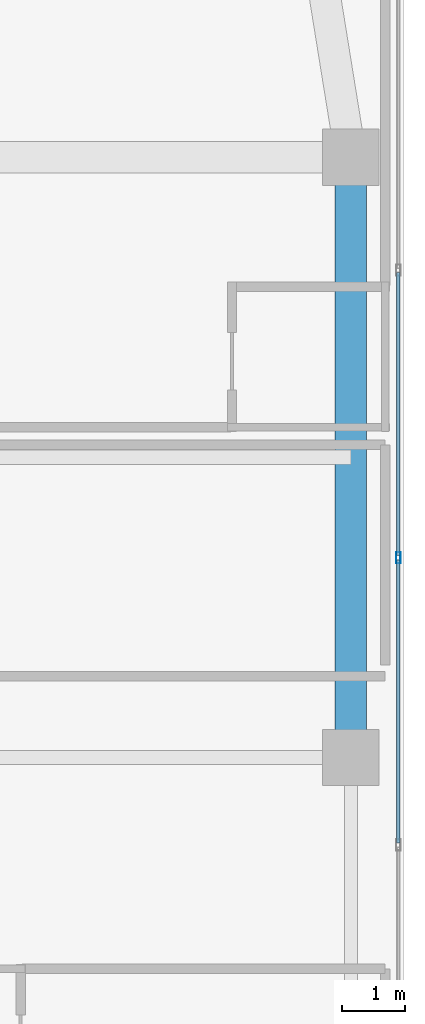
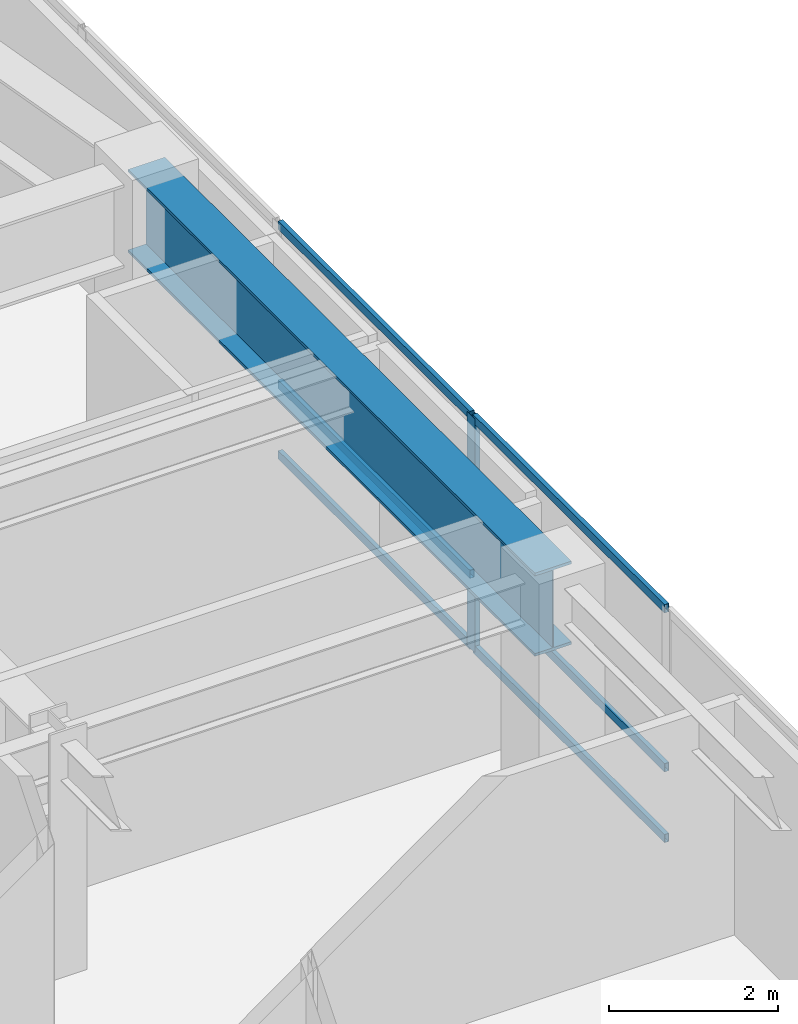
# One storey, part 12 of 25: 7 members, 1 beam, 1 element without a shape of its own.
"""IFC4 building model written with IfcOpenShell, lengths in metres."""

from ifc_helpers import new_model, si_unit, direction, frame, origin, origin_2d, place, context, subcontext, project, spatial, hollow_rectangle, i_section, extrude, source, transform, mapped, material, layer, layer_set, material_profile, profile_set, type_object, type_shapes, element, aggregate, save


model = new_model("IFC4")

# Units and contexts
model_context = context("Model", 3, precision=1e-05, world=origin(), true_north=direction((0.0, 1.0)))
body_context = subcontext(model_context, "Body", "Model", "MODEL_VIEW")
ifc_project = project(units=[si_unit("LENGTHUNIT", "METRE"), si_unit("AREAUNIT", "SQUARE_METRE"), si_unit("VOLUMEUNIT", "CUBIC_METRE"), si_unit("PLANEANGLEUNIT", "RADIAN"), si_unit("MASSUNIT", "GRAM", prefix="KILO")], contexts=[model_context])

# Site, building, storey
site_placement = place(None, origin())
site = spatial("IfcSite", under=ifc_project, at=site_placement, CompositionType="ELEMENT")
building_placement = place(site_placement, origin())
building = spatial("IfcBuilding", under=site, at=building_placement, Name="Tolvann Quenvar Hotel", CompositionType="ELEMENT")
storey_placement = place(building_placement, frame((0.0, 0.0, 78.14990234375)))
storey = spatial("IfcBuildingStorey", under=building, at=storey_placement, Name="L19", CompositionType="ELEMENT", Elevation=78.14990234375)

# Beam
ifc_material_1 = material(Name="Steel Grade 350", Category="steel")
ifc_material_profile_1 = material_profile(ifc_material_1, i_section(OverallWidth=0.5, OverallDepth=1.199951171875, WebThickness=0.01611328125, FlangeThickness=0.0400390625, at=origin_2d()), Name="1200WB455")
ifc_profile_set_1 = profile_set([ifc_material_profile_1], Name="Steel Grade 350")
beam_type = type_object("IfcBeamType", Name="BM_TG_1200WB455", PredefinedType="USERDEFINED", material=ifc_profile_set_1)
shared_shape_1 = source(origin(), body_context, "Body", "SweptSolid", [
    extrude(i_section(OverallWidth=0.5, OverallDepth=1.199951171875, WebThickness=0.01611328125, FlangeThickness=0.0400390625, at=origin_2d()), origin(), (0.0, 0.0, 1.0), 9.60009765625),
])
type_shapes(beam_type, [shared_shape_1])
beam_placement = place(storey_placement, frame((56.14990234375, 24.39990234375, 2.77001953125), z_axis=(0.0, 1.0, 0.0), x_axis=(-1.0, 0.0, 0.0)))
element("IfcBeam", 1, at=beam_placement, inside=storey, type_object=beam_type, Name="BM-L19-FLK-E1", ObjectType="TRANSFER GIRDER", PredefinedType="USERDEFINED", context=body_context, shape_type="MappedRepresentation", body=[
    mapped(shared_shape_1, transform((0.0, 0.0, 0.0), x_axis=(1.0, 0.0, 0.0), y_axis=(0.0, 1.0, 0.0), z_axis=(0.0, 0.0, 1.0), scale=1.0)),
])

# Curtain wall, members
ifc_material_2 = material(Name="Thermally broken anodised architectural aluminium 6063-T6 and laminated low-E glass", Category="aluminium")
ifc_layer = layer(ifc_material_2, 0.179931640625)
ifc_layer_set = layer_set([ifc_layer], Name="Thermally broken anodised architectural aluminium 6063-T6 and laminated low-E glass")
curtain_wall_type = type_object("IfcCurtainWallType", Name="CW_SYS_BAND_04", PredefinedType="USERDEFINED", material=ifc_layer_set)
curtain_wall_placement = place(storey_placement, origin())
curtain_wall = element("IfcCurtainWall", 2, at=curtain_wall_placement, inside=storey, type_object=curtain_wall_type, Name="Curtain Wall CW-BAND-04 (CWR-L19-E13)", ObjectType="UNITISED CURTAIN WALL", PredefinedType="USERDEFINED")
ifc_material_3 = material(Name="Anodised architectural aluminium 6063-T6 framing", Category="aluminium")
ifc_material_profile_2 = material_profile(ifc_material_3, hollow_rectangle(XDim=0.070068359375, YDim=0.179931640625, WallThickness=0.00390625, at=origin_2d()), Name="180x70x4RHS")
ifc_profile_set_2 = profile_set([ifc_material_profile_2], Name="Anodised architectural aluminium 6063-T6 framing")
member_type_1 = type_object("IfcMemberType", Name="CW_MULL_180x70", PredefinedType="MULLION", material=ifc_profile_set_2)
shared_shape_2 = source(origin(), body_context, "Body", "SweptSolid", [
    extrude(hollow_rectangle(XDim=0.070068359375, YDim=0.179931640625, WallThickness=0.00390625, at=origin_2d()), origin(), (0.0, 0.0, 1.0), 3.3701171875),
])
type_shapes(member_type_1, [shared_shape_2])
member_1_placement = place(storey_placement, frame((56.909912109375, 27.595703125, 0.0), z_axis=(0.0, 0.0, 1.0), x_axis=(-1.0, 0.0, 0.0)))
member_1 = element("IfcMember", 3, at=member_1_placement, type_object=member_type_1, Name="CW-BAND-04 mullion 6", PredefinedType="MULLION", context=body_context, shape_type="MappedRepresentation", body=[
    mapped(shared_shape_2, transform((0.0, 0.0, 0.0), x_axis=(1.0, 0.0, 0.0), y_axis=(0.0, 1.0, 0.0), z_axis=(0.0, 0.0, 1.0), scale=1.0)),
])
ifc_material_profile_3 = material_profile(ifc_material_3, hollow_rectangle(XDim=0.06005859375, YDim=0.1201171875, WallThickness=0.00341796875, at=origin_2d()), Name="120x60x3.5RHS")
ifc_profile_set_3 = profile_set([ifc_material_profile_3], Name="Anodised architectural aluminium 6063-T6 framing")
member_type_2 = type_object("IfcMemberType", Name="CW_TRAN_120x60", PredefinedType="USERDEFINED", material=ifc_profile_set_3)
shared_shape_3 = source(origin(), body_context, "Body", "SweptSolid", [
    extrude(hollow_rectangle(XDim=0.06005859375, YDim=0.1201171875, WallThickness=0.00341796875, at=origin_2d()), origin(), (0.0, 0.0, 1.0), 4.52587890625),
])
type_shapes(member_type_2, [shared_shape_3])
member_2_placement = place(storey_placement, frame((56.909912109375, 23.034912109375, 0.030029296875), z_axis=(0.0, 1.0, 0.0), x_axis=(-1.0, 0.0, 0.0)))
member_2 = element("IfcMember", 4, at=member_2_placement, type_object=member_type_2, Name="CW-BAND-04 transom 5.1", ObjectType="TRANSOM", PredefinedType="USERDEFINED", context=body_context, shape_type="MappedRepresentation", body=[
    mapped(shared_shape_3, transform((0.0, 0.0, 0.0), x_axis=(1.0, 0.0, 0.0), y_axis=(0.0, 1.0, 0.0), z_axis=(0.0, 0.0, 1.0), scale=1.0)),
])
member_3_placement = place(storey_placement, frame((56.909912109375, 23.034912109375, 1.050048828125), z_axis=(0.0, 1.0, 0.0), x_axis=(-1.0, 0.0, 0.0)))
member_3 = element("IfcMember", 5, at=member_3_placement, type_object=member_type_2, Name="CW-BAND-04 transom 5.2", ObjectType="TRANSOM", PredefinedType="USERDEFINED", context=body_context, shape_type="MappedRepresentation", body=[
    mapped(shared_shape_3, transform((0.0, 0.0, 0.0), x_axis=(1.0, 0.0, 0.0), y_axis=(0.0, 1.0, 0.0), z_axis=(0.0, 0.0, 1.0), scale=1.0)),
])
member_4_placement = place(storey_placement, frame((56.909912109375, 23.034912109375, 3.340087890625), z_axis=(0.0, 1.0, 0.0), x_axis=(-1.0, 0.0, 0.0)))
member_4 = element("IfcMember", 6, at=member_4_placement, type_object=member_type_2, Name="CW-BAND-04 transom 5.3", ObjectType="TRANSOM", PredefinedType="USERDEFINED", context=body_context, shape_type="MappedRepresentation", body=[
    mapped(shared_shape_3, transform((0.0, 0.0, 0.0), x_axis=(1.0, 0.0, 0.0), y_axis=(0.0, 1.0, 0.0), z_axis=(0.0, 0.0, 1.0), scale=1.0)),
])
member_5_placement = place(storey_placement, frame((56.909912109375, 27.630615234375, 0.030029296875), z_axis=(0.0, 1.0, 0.0), x_axis=(-1.0, 0.0, 0.0)))
member_5 = element("IfcMember", 7, at=member_5_placement, type_object=member_type_2, Name="CW-BAND-04 transom 6.1", ObjectType="TRANSOM", PredefinedType="USERDEFINED", context=body_context, shape_type="MappedRepresentation", body=[
    mapped(shared_shape_3, transform((0.0, 0.0, 0.0), x_axis=(1.0, 0.0, 0.0), y_axis=(0.0, 1.0, 0.0), z_axis=(0.0, 0.0, 1.0), scale=1.0)),
])
member_6_placement = place(storey_placement, frame((56.909912109375, 27.630615234375, 1.050048828125), z_axis=(0.0, 1.0, 0.0), x_axis=(-1.0, 0.0, 0.0)))
member_6 = element("IfcMember", 8, at=member_6_placement, type_object=member_type_2, Name="CW-BAND-04 transom 6.2", ObjectType="TRANSOM", PredefinedType="USERDEFINED", context=body_context, shape_type="MappedRepresentation", body=[
    mapped(shared_shape_3, transform((0.0, 0.0, 0.0), x_axis=(1.0, 0.0, 0.0), y_axis=(0.0, 1.0, 0.0), z_axis=(0.0, 0.0, 1.0), scale=1.0)),
])
member_7_placement = place(storey_placement, frame((56.909912109375, 27.630615234375, 3.340087890625), z_axis=(0.0, 1.0, 0.0), x_axis=(-1.0, 0.0, 0.0)))
member_7 = element("IfcMember", 9, at=member_7_placement, type_object=member_type_2, Name="CW-BAND-04 transom 6.3", ObjectType="TRANSOM", PredefinedType="USERDEFINED", context=body_context, shape_type="MappedRepresentation", body=[
    mapped(shared_shape_3, transform((0.0, 0.0, 0.0), x_axis=(1.0, 0.0, 0.0), y_axis=(0.0, 1.0, 0.0), z_axis=(0.0, 0.0, 1.0), scale=1.0)),
])
aggregate(curtain_wall, [member_1, member_2, member_3, member_4, member_5, member_6, member_7])

save(model, "model.ifc")
